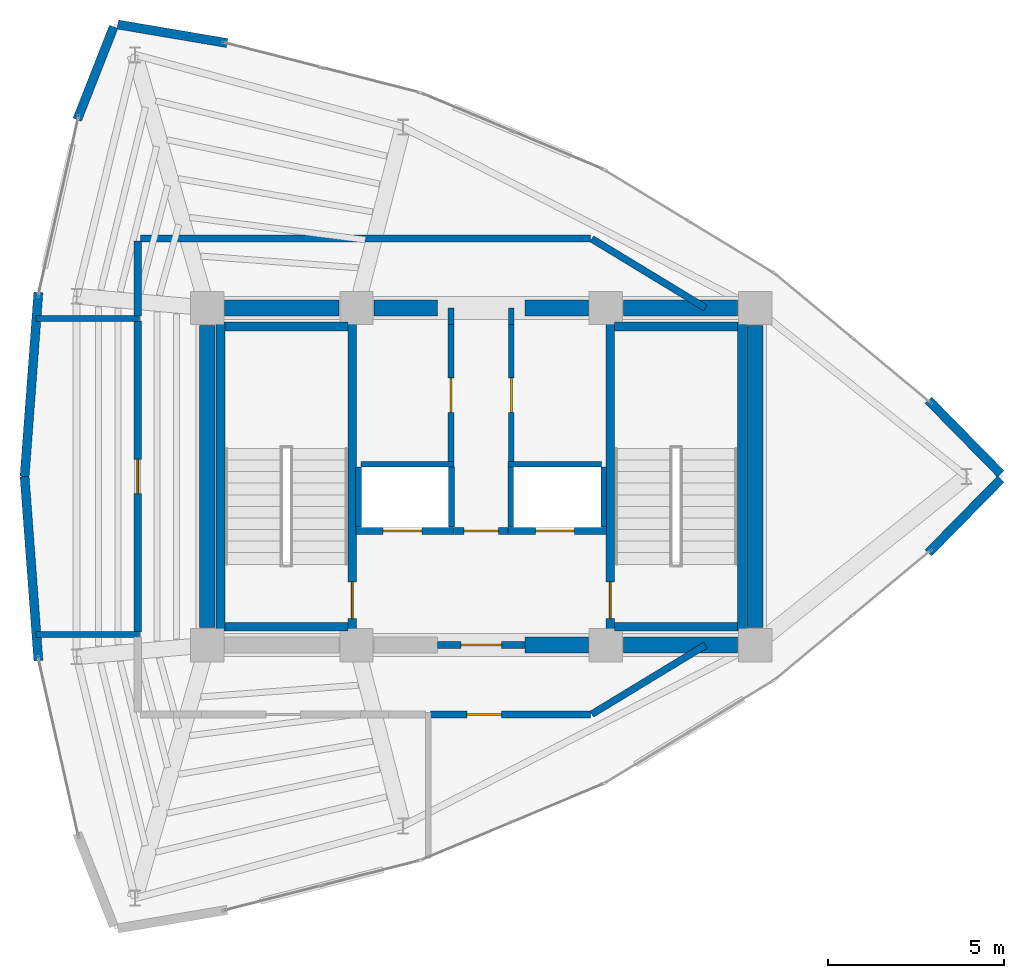
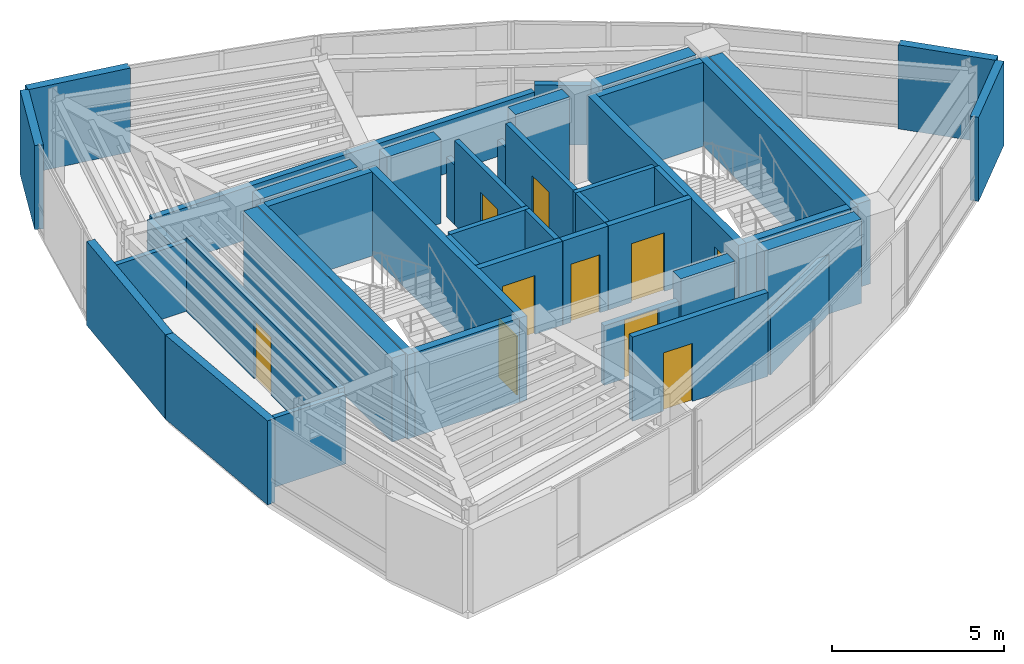
# One storey, part 12 of 14: 44 walls, 10 doors, 10 openings.
"""IFC4 building model written with IfcOpenShell, lengths in metres."""

from ifc_helpers import new_model, si_unit, direction, frame, frame_2d, origin, place, context, subcontext, project, spatial, rectangle, extrude, material, layer, layer_set, type_object, element, fill, save


model = new_model("IFC4")

# Units and contexts
model_context = context("Model", 3, precision=1e-05, world=origin(), true_north=direction((0.0, 1.0)))
body_context = subcontext(model_context, "Body", "Model", "MODEL_VIEW")
ifc_project = project(units=[si_unit("LENGTHUNIT", "METRE"), si_unit("AREAUNIT", "SQUARE_METRE"), si_unit("VOLUMEUNIT", "CUBIC_METRE"), si_unit("PLANEANGLEUNIT", "RADIAN"), si_unit("MASSUNIT", "GRAM", prefix="KILO")], contexts=[model_context])

# Site, building, storey
site_placement = place(None, origin())
site = spatial("IfcSite", under=ifc_project, at=site_placement, CompositionType="ELEMENT")
building_placement = place(site_placement, origin())
building = spatial("IfcBuilding", under=site, at=building_placement, Name="Menara Vayukalpa", CompositionType="ELEMENT")
storey_placement = place(building_placement, frame((0.0, 0.0, 308.820068359375)))
storey = spatial("IfcBuildingStorey", under=building, at=storey_placement, Name="L79", CompositionType="ELEMENT", Elevation=308.820068359375)

# Walls
ifc_material_1 = material(Name="Concrete C50/60", Category="concrete")
ifc_layer_1 = layer(ifc_material_1, 0.449951171875)
ifc_layer_set_1 = layer_set([ifc_layer_1], Name="Concrete C50/60")
wall_type_1 = type_object("IfcWallType", Name="WAL-CW450", PredefinedType="SHEAR", material=ifc_layer_set_1)
wall_1_placement = place(storey_placement, frame((26.85009765625, 17.199951171875, 0.0), z_axis=(0.0, 0.0, 1.0), x_axis=(1.0, 0.0, 0.0)))
element("IfcWall", 1, at=wall_1_placement, inside=storey, type_object=wall_type_1, Name="L79 Buttressed Core Shear Wall CWS3", PredefinedType="SHEAR", context=body_context, shape_type="SweptSolid", body=[
    extrude(rectangle(XDim=1.804931640625, YDim=0.449951171875, at=frame_2d((0.90234375, 0.0))), origin(), (0.0, 0.0, 1.0), 2.97998046875),
])
for number, where, z_axis, x_axis, name in (
    (2, (29.64501953125, 17.199951171875, 0.0), (0.0, 0.0, 1.0), (1.0, 0.0, 0.0), "L79 Buttressed Core Shear Wall CWS4"),
    (3, (18.294921875, 26.800048828125, 0.0), (0.0, 0.0, 1.0), (1.0, 0.0, 0.0), "L79 Buttressed Core Shear Wall CWN1"),
):
    element("IfcWall", number, at=place(storey_placement, frame(where, z_axis=z_axis, x_axis=x_axis)), inside=storey, type_object=wall_type_1, Name=name, PredefinedType="SHEAR", context=body_context, shape_type="SweptSolid", body=[
        extrude(rectangle(XDim=3.260009765625, YDim=0.449951171875, at=frame_2d((1.6298828125, 0.0))), origin(), (0.0, 0.0, 1.0), 2.97998046875),
    ])
wall_2_placement = place(storey_placement, frame((22.544921875, 26.800048828125, 0.0), z_axis=(0.0, 0.0, 1.0), x_axis=(1.0, 0.0, 0.0)))
element("IfcWall", 4, at=wall_2_placement, inside=storey, type_object=wall_type_1, Name="L79 Buttressed Core Shear Wall CWN2", PredefinedType="SHEAR", context=body_context, shape_type="SweptSolid", body=[
    extrude(rectangle(XDim=1.80517578125, YDim=0.449951171875, at=frame_2d((0.902587890625, 0.0))), origin(), (0.0, 0.0, 1.0), 2.97998046875),
])
wall_3_placement = place(storey_placement, frame((26.85009765625, 26.800048828125, 0.0), z_axis=(0.0, 0.0, 1.0), x_axis=(1.0, 0.0, 0.0)))
element("IfcWall", 5, at=wall_3_placement, inside=storey, type_object=wall_type_1, Name="L79 Buttressed Core Shear Wall CWN3", PredefinedType="SHEAR", context=body_context, shape_type="SweptSolid", body=[
    extrude(rectangle(XDim=1.804931640625, YDim=0.449951171875, at=frame_2d((0.90234375, 0.0))), origin(), (0.0, 0.0, 1.0), 2.97998046875),
])
wall_4_placement = place(storey_placement, frame((29.64501953125, 26.800048828125, 0.0), z_axis=(0.0, 0.0, 1.0), x_axis=(1.0, 0.0, 0.0)))
element("IfcWall", 6, at=wall_4_placement, inside=storey, type_object=wall_type_1, Name="L79 Buttressed Core Shear Wall CWN4", PredefinedType="SHEAR", context=body_context, shape_type="SweptSolid", body=[
    extrude(rectangle(XDim=3.260009765625, YDim=0.449951171875, at=frame_2d((1.6298828125, 0.0))), origin(), (0.0, 0.0, 1.0), 2.97998046875),
])
for number, where, z_axis, x_axis, name in (
    (7, (17.800048828125, 17.695068359375, 0.0), (0.0, 0.0, 1.0), (0.0, 1.0, 0.0), "L79 Buttressed Core Shear Wall CWW1"),
    (8, (33.39990234375, 17.695068359375, 0.0), (0.0, 0.0, 1.0), (0.0, 1.0, 0.0), "L79 Buttressed Core Shear Wall CWE1"),
):
    element("IfcWall", number, at=place(storey_placement, frame(where, z_axis=z_axis, x_axis=x_axis)), inside=storey, type_object=wall_type_1, Name=name, PredefinedType="SHEAR", context=body_context, shape_type="SweptSolid", body=[
        extrude(rectangle(XDim=8.60986328125, YDim=0.449951171875, at=frame_2d((4.304931640625, 0.0))), origin(), (0.0, 0.0, 1.0), 2.97998046875),
    ])
ifc_material_2 = material(Name="Insulated Precast Concrete C40/50", Category="concrete")
ifc_layer_2 = layer(ifc_material_2, 0.260009765625)
ifc_layer_set_2 = layer_set([ifc_layer_2], Name="Insulated Precast Concrete C40/50")
wall_type_2 = type_object("IfcWallType", Name="WAL-EXT260", PredefinedType="PARTITIONING", material=ifc_layer_set_2)
for number, where, z_axis, x_axis, name in (
    (9, (40.394287109375, 21.923828125, 0.0), (0.0, 0.0, 1.0), (-0.700603142499, -0.713551145133, 0.0), "L79 Perimeter Terracotta Pier Wall 01"),
    (10, (38.33349609375, 24.175048828125, 0.0), (0.0, 0.0, 1.0), (0.700603142499, -0.713551145133, 0.0), "L79 Perimeter Terracotta Pier Wall 02"),
):
    element("IfcWall", number, at=place(storey_placement, frame(where, z_axis=z_axis, x_axis=x_axis)), inside=storey, type_object=wall_type_2, Name=name, PredefinedType="PARTITIONING", context=body_context, shape_type="SweptSolid", body=[
        extrude(rectangle(XDim=2.94140625, YDim=0.260009765625, at=frame_2d((1.470703125, 0.0))), origin(), (0.0, 0.0, 1.0), 2.97998046875),
    ])
wall_5_placement = place(storey_placement, frame((15.251708984375, 34.87158203125, 0.0), z_axis=(0.0, 0.0, 1.0), x_axis=(0.985905089134, -0.167305574383, 0.0)))
element("IfcWall", 11, at=wall_5_placement, inside=storey, type_object=wall_type_2, Name="L79 Perimeter Terracotta Pier Wall 07", PredefinedType="PARTITIONING", context=body_context, shape_type="SweptSolid", body=[
    extrude(rectangle(XDim=3.1591796875, YDim=0.260009765625, at=frame_2d((1.57958984375, 0.0))), origin(), (0.0, 0.0, 1.0), 2.97998046875),
])
wall_6_placement = place(storey_placement, frame((14.09619140625, 32.1630859375, 0.0), z_axis=(0.0, 0.0, 1.0), x_axis=(0.365495346637, 0.930813166853, 0.0)))
element("IfcWall", 12, at=wall_6_placement, inside=storey, type_object=wall_type_2, Name="L79 Perimeter Terracotta Pier Wall 08", PredefinedType="PARTITIONING", context=body_context, shape_type="SweptSolid", body=[
    extrude(rectangle(XDim=2.838134765625, YDim=0.260009765625, at=frame_2d((1.4189453125, 0.0))), origin(), (0.0, 0.0, 1.0), 2.97998046875),
])
for number, where, z_axis, x_axis, name in (
    (13, (12.596435546875, 22.0, 0.0), (0.0, 0.0, 1.0), (0.074768012725, 0.99720095481, 0.0), "L79 Perimeter Terracotta Pier Wall 10"),
    (14, (12.989501953125, 16.757568359375, 0.0), (0.0, 0.0, 1.0), (-0.074768012725, 0.99720095481, 0.0), "L79 Perimeter Terracotta Pier Wall 11"),
):
    element("IfcWall", number, at=place(storey_placement, frame(where, z_axis=z_axis, x_axis=x_axis)), inside=storey, type_object=wall_type_2, Name=name, PredefinedType="PARTITIONING", context=body_context, shape_type="SweptSolid", body=[
        extrude(rectangle(XDim=5.257080078125, YDim=0.260009765625, at=frame_2d((2.62841796875, 0.0))), origin(), (0.0, 0.0, 1.0), 2.97998046875),
    ])
ifc_material_3 = material(Name="Lightweight Concrete Blockwork C16/20", Category="masonry")
ifc_layer_3 = layer(ifc_material_3, 0.159912109375)
ifc_layer_set_3 = layer_set([ifc_layer_3], Name="Lightweight Concrete Blockwork C16/20")
wall_type_3 = type_object("IfcWallType", Name="WAL-FR150", PredefinedType="PARTITIONING", material=ifc_layer_set_3)
for number, where, z_axis, x_axis, name in (
    (15, (22.10498046875, 20.56005859375, 0.0), (0.0, 0.0, 1.0), (0.0, 1.0, 0.0), "L79 Interior Partition IW-L79-SHW-WW"),
    (16, (24.7548828125, 20.56005859375, 0.0), (0.0, 0.0, 1.0), (0.0, 1.0, 0.0), "L79 Interior Partition IW-L79-SHW-W1E"),
):
    element("IfcWall", number, at=place(storey_placement, frame(where, z_axis=z_axis, x_axis=x_axis)), inside=storey, type_object=wall_type_3, Name=name, PredefinedType="PARTITIONING", context=body_context, shape_type="SweptSolid", body=[
        extrude(rectangle(XDim=1.7099609375, YDim=0.159912109375, at=frame_2d((0.85498046875, 0.0))), origin(), (0.0, 0.0, 1.0), 2.97998046875),
    ])
wall_7_placement = place(storey_placement, frame((22.179931640625, 22.344970703125, 0.0), z_axis=(0.0, 0.0, 1.0), x_axis=(1.0, 0.0, 0.0)))
element("IfcWall", 17, at=wall_7_placement, inside=storey, type_object=wall_type_3, Name="L79 Interior Partition IW-L79-SHM-W12", PredefinedType="PARTITIONING", context=body_context, shape_type="SweptSolid", body=[
    extrude(rectangle(XDim=2.650146484375, YDim=0.159912109375, at=frame_2d((1.3251953125, 0.0))), origin(), (0.0, 0.0, 1.0), 2.97998046875),
])
for number, where, z_axis, x_axis, name in (
    (18, (29.094970703125, 20.56005859375, 0.0), (0.0, 0.0, 1.0), (0.0, 1.0, 0.0), "L79 Interior Partition IW-L79-SHW-EE"),
    (19, (26.445068359375, 20.56005859375, 0.0), (0.0, 0.0, 1.0), (0.0, 1.0, 0.0), "L79 Interior Partition IW-L79-SHW-E1W"),
):
    element("IfcWall", number, at=place(storey_placement, frame(where, z_axis=z_axis, x_axis=x_axis)), inside=storey, type_object=wall_type_3, Name=name, PredefinedType="PARTITIONING", context=body_context, shape_type="SweptSolid", body=[
        extrude(rectangle(XDim=1.7099609375, YDim=0.159912109375, at=frame_2d((0.85498046875, 0.0))), origin(), (0.0, 0.0, 1.0), 2.97998046875),
    ])
wall_8_placement = place(storey_placement, frame((26.3701171875, 22.344970703125, 0.0), z_axis=(0.0, 0.0, 1.0), x_axis=(1.0, 0.0, 0.0)))
element("IfcWall", 20, at=wall_8_placement, inside=storey, type_object=wall_type_3, Name="L79 Interior Partition IW-L79-SHM-E13", PredefinedType="PARTITIONING", context=body_context, shape_type="SweptSolid", body=[
    extrude(rectangle(XDim=2.64990234375, YDim=0.159912109375, at=frame_2d((1.324951171875, 0.0))), origin(), (0.0, 0.0, 1.0), 2.97998046875),
])
wall_9_placement = place(storey_placement, frame((24.739990234375, 26.3349609375, 0.0), z_axis=(0.0, 0.0, 1.0), x_axis=(0.0, 1.0, 0.0)))
element("IfcWall", 21, at=wall_9_placement, inside=storey, type_object=wall_type_3, Name="L79 Interior Partition IW-L79-CPL1 Beam Collar 1", PredefinedType="PARTITIONING", context=body_context, shape_type="SweptSolid", body=[
    extrude(rectangle(XDim=0.465087890625, YDim=0.159912109375, at=frame_2d((0.232421875, 0.0))), origin(), (0.0, 0.0, 1.0), 2.10986328125),
])

# Wall, opening, door
wall_10_placement = place(storey_placement, frame((24.739990234375, 22.429931640625, 0.0), z_axis=(0.0, 0.0, 1.0), x_axis=(0.0, 1.0, 0.0)))
wall_10 = element("IfcWall", 22, at=wall_10_placement, inside=storey, type_object=wall_type_3, Name="L79 Interior Partition IW-L79-CPL1", PredefinedType="PARTITIONING", context=body_context, shape_type="SweptSolid", body=[
    extrude(rectangle(XDim=3.905029296875, YDim=0.159912109375, at=frame_2d((1.95263671875, 0.0))), origin(), (0.0, 0.0, 1.0), 2.97998046875),
])
opening_1_placement = place(wall_10_placement, frame((1.39990234375, 0.0, 0.0)))
opening_1 = element("IfcOpeningElement", 23, at=opening_1_placement, cuts=wall_10, Name="Opening ID3", PredefinedType="OPENING", context=body_context, shape_type="SweptSolid", body=[
    extrude(rectangle(XDim=0.97998046875, YDim=2.06005859375, at=frame_2d((0.489990234375, 1.030029296875))), frame((0.0, 0.08984375, 0.0), z_axis=(0.0, -1.0, 0.0), x_axis=(1.0, 0.0, 0.0)), (0.0, 0.0, 1.0), 0.179931640625),
])
ifc_material_4 = material(Name="Fire-Rated Powder-Coated Steel Door", Category="steel")
door_type_1 = type_object("IfcDoorType", Name="DR-FD60", OperationType="NOTDEFINED", PredefinedType="DOOR", material=ifc_material_4)
door_1_placement = place(opening_1_placement, origin())
door_1 = element("IfcDoor", 24, at=door_1_placement, inside=storey, type_object=door_type_1, Name="L79 Interior Door DR-L79-CPL1", OperationType="SINGLE_SWING_LEFT", OverallHeight=2.06005859375, OverallWidth=0.97998046875, PredefinedType="DOOR", context=body_context, shape_type="SweptSolid", body=[
    extrude(rectangle(XDim=0.97998046875, YDim=2.06005859375, at=frame_2d((0.489990234375, 1.030029296875))), frame((0.0, 0.02490234375, 0.0), z_axis=(0.0, -1.0, 0.0), x_axis=(1.0, 0.0, 0.0)), (0.0, 0.0, 1.0), 0.050048828125),
])
fill(opening_1, door_1)

# Wall
wall_11_placement = place(storey_placement, frame((26.4599609375, 26.3349609375, 0.0), z_axis=(0.0, 0.0, 1.0), x_axis=(0.0, 1.0, 0.0)))
element("IfcWall", 25, at=wall_11_placement, inside=storey, type_object=wall_type_3, Name="L79 Interior Partition IW-L79-CPL2 Beam Collar 1", PredefinedType="PARTITIONING", context=body_context, shape_type="SweptSolid", body=[
    extrude(rectangle(XDim=0.465087890625, YDim=0.159912109375, at=frame_2d((0.232421875, 0.0))), origin(), (0.0, 0.0, 1.0), 2.10986328125),
])

# Wall, opening, door
wall_12_placement = place(storey_placement, frame((26.4599609375, 22.429931640625, 0.0), z_axis=(0.0, 0.0, 1.0), x_axis=(0.0, 1.0, 0.0)))
wall_12 = element("IfcWall", 26, at=wall_12_placement, inside=storey, type_object=wall_type_3, Name="L79 Interior Partition IW-L79-CPL2", PredefinedType="PARTITIONING", context=body_context, shape_type="SweptSolid", body=[
    extrude(rectangle(XDim=3.905029296875, YDim=0.159912109375, at=frame_2d((1.95263671875, 0.0))), origin(), (0.0, 0.0, 1.0), 2.97998046875),
])
opening_2_placement = place(wall_12_placement, frame((1.39990234375, 0.0, 0.0)))
opening_2 = element("IfcOpeningElement", 27, at=opening_2_placement, cuts=wall_12, Name="Opening ID3", PredefinedType="OPENING", context=body_context, shape_type="SweptSolid", body=[
    extrude(rectangle(XDim=0.97998046875, YDim=2.06005859375, at=frame_2d((0.489990234375, 1.030029296875))), frame((0.0, 0.08984375, 0.0), z_axis=(0.0, -1.0, 0.0), x_axis=(1.0, 0.0, 0.0)), (0.0, 0.0, 1.0), 0.179931640625),
])
door_2_placement = place(opening_2_placement, origin())
door_2 = element("IfcDoor", 28, at=door_2_placement, inside=storey, type_object=door_type_1, Name="L79 Interior Door DR-L79-CPL2", OperationType="SINGLE_SWING_RIGHT", OverallHeight=2.06005859375, OverallWidth=0.97998046875, PredefinedType="DOOR", context=body_context, shape_type="SweptSolid", body=[
    extrude(rectangle(XDim=0.97998046875, YDim=2.06005859375, at=frame_2d((0.489990234375, 1.030029296875))), frame((0.0, 0.02490234375, 0.0), z_axis=(0.0, -1.0, 0.0), x_axis=(1.0, 0.0, 0.0)), (0.0, 0.0, 1.0), 0.050048828125),
])
fill(opening_2, door_2)

# Walls
for number, where, z_axis, x_axis, name in (
    (29, (12.923828125, 17.5, 0.0), (0.0, 0.0, 1.0), (1.0, 0.0, 0.0), "L79 Interior Partition IW-L79-RDIV01"),
    (30, (12.923828125, 26.5, 0.0), (0.0, 0.0, 1.0), (1.0, 0.0, 0.0), "L79 Interior Partition IW-L79-RDIV02"),
):
    element("IfcWall", number, at=place(storey_placement, frame(where, z_axis=z_axis, x_axis=x_axis)), inside=storey, type_object=wall_type_3, Name=name, PredefinedType="PARTITIONING", context=body_context, shape_type="SweptSolid", body=[
        extrude(rectangle(XDim=2.9462890625, YDim=0.159912109375, at=frame_2d((1.47314453125, 0.0))), origin(), (0.0, 0.0, 1.0), 2.4599609375),
    ])

# Wall, opening, door
ifc_material_5 = material(Name="Lightweight Concrete Blockwork C16/20", Category="masonry")
ifc_layer_4 = layer(ifc_material_5, 0.199951171875)
ifc_layer_set_4 = layer_set([ifc_layer_4], Name="Lightweight Concrete Blockwork C16/20")
wall_type_4 = type_object("IfcWallType", Name="WAL-FR200", PredefinedType="PARTITIONING", material=ifc_layer_set_4)
wall_13_placement = place(storey_placement, frame((24.35009765625, 17.199951171875, 0.0), z_axis=(0.0, 0.0, 1.0), x_axis=(1.0, 0.0, 0.0)))
wall_13 = element("IfcWall", 31, at=wall_13_placement, inside=storey, type_object=wall_type_4, Name="L79 Interior Partition IW-L79-FFLS", PredefinedType="PARTITIONING", context=body_context, shape_type="SweptSolid", body=[
    extrude(rectangle(XDim=2.5, YDim=0.199951171875, at=frame_2d((1.25, 0.0))), origin(), (0.0, 0.0, 1.0), 2.10986328125),
])
opening_3_placement = place(wall_13_placement, frame((0.679931640625, 0.0, 0.0)))
opening_3 = element("IfcOpeningElement", 32, at=opening_3_placement, cuts=wall_13, Name="Opening ID2", PredefinedType="OPENING", context=body_context, shape_type="SweptSolid", body=[
    extrude(rectangle(XDim=1.14990234375, YDim=2.080078125, at=frame_2d((0.574951171875, 1.0400390625))), frame((0.0, 0.10986328125, 0.0), z_axis=(0.0, -1.0, 0.0), x_axis=(1.0, 0.0, 0.0)), (0.0, 0.0, 1.0), 0.219970703125),
])
ifc_material_6 = material(Name="Fire-Rated Powder-Coated Steel Door", Category="steel")
door_type_2 = type_object("IfcDoorType", Name="DR-FD60W", OperationType="NOTDEFINED", PredefinedType="DOOR", material=ifc_material_6)
door_3_placement = place(opening_3_placement, origin())
door_3 = element("IfcDoor", 33, at=door_3_placement, inside=storey, type_object=door_type_2, Name="L79 Interior Door DR-L79-FFLS", OperationType="SINGLE_SWING_LEFT", OverallHeight=2.080078125, OverallWidth=1.14990234375, PredefinedType="DOOR", context=body_context, shape_type="SweptSolid", body=[
    extrude(rectangle(XDim=1.14990234375, YDim=2.080078125, at=frame_2d((0.574951171875, 1.0400390625))), frame((0.0, 0.02490234375, 0.0), z_axis=(0.0, -1.0, 0.0), x_axis=(1.0, 0.0, 0.0)), (0.0, 0.0, 1.0), 0.050048828125),
])
fill(opening_3, door_3)

wall_14_placement = place(storey_placement, frame((24.840087890625, 20.449951171875, 0.0), z_axis=(0.0, 0.0, 1.0), x_axis=(1.0, 0.0, 0.0)))
wall_14 = element("IfcWall", 34, at=wall_14_placement, inside=storey, type_object=wall_type_4, Name="L79 Interior Partition IW-L79-FFLN", PredefinedType="PARTITIONING", context=body_context, shape_type="SweptSolid", body=[
    extrude(rectangle(XDim=1.52001953125, YDim=0.199951171875, at=frame_2d((0.760009765625, 0.0))), origin(), (0.0, 0.0, 1.0), 2.97998046875),
])
opening_4_placement = place(wall_14_placement, frame((0.27001953125, 0.0, 0.0)))
opening_4 = element("IfcOpeningElement", 35, at=opening_4_placement, cuts=wall_14, Name="Opening ID3", PredefinedType="OPENING", context=body_context, shape_type="SweptSolid", body=[
    extrude(rectangle(XDim=0.97998046875, YDim=2.06005859375, at=frame_2d((0.489990234375, 1.030029296875))), frame((0.0, 0.10986328125, 0.0), z_axis=(0.0, -1.0, 0.0), x_axis=(1.0, 0.0, 0.0)), (0.0, 0.0, 1.0), 0.219970703125),
])
door_4_placement = place(opening_4_placement, origin())
door_4 = element("IfcDoor", 36, at=door_4_placement, inside=storey, type_object=door_type_1, Name="L79 Interior Door DR-L79-FFLN", OperationType="SINGLE_SWING_RIGHT", OverallHeight=2.06005859375, OverallWidth=0.97998046875, PredefinedType="DOOR", context=body_context, shape_type="SweptSolid", body=[
    extrude(rectangle(XDim=0.97998046875, YDim=2.06005859375, at=frame_2d((0.489990234375, 1.030029296875))), frame((0.0, 0.02490234375, 0.0), z_axis=(0.0, -1.0, 0.0), x_axis=(1.0, 0.0, 0.0)), (0.0, 0.0, 1.0), 0.050048828125),
])
fill(opening_4, door_4)

wall_15_placement = place(storey_placement, frame((22.030029296875, 20.449951171875, 0.0), z_axis=(0.0, 0.0, 1.0), x_axis=(1.0, 0.0, 0.0)))
wall_15 = element("IfcWall", 37, at=wall_15_placement, inside=storey, type_object=wall_type_4, Name="L79 Interior Partition IW-L79-SH-W1", PredefinedType="PARTITIONING", context=body_context, shape_type="SweptSolid", body=[
    extrude(rectangle(XDim=2.800048828125, YDim=0.199951171875, at=frame_2d((1.39990234375, 0.0))), origin(), (0.0, 0.0, 1.0), 2.97998046875),
])
opening_5_placement = place(wall_15_placement, frame((0.780029296875, 0.0, 0.0)))
opening_5 = element("IfcOpeningElement", 38, at=opening_5_placement, cuts=wall_15, Name="Opening LD1", PredefinedType="OPENING", context=body_context, shape_type="SweptSolid", body=[
    extrude(rectangle(XDim=1.10009765625, YDim=2.080078125, at=frame_2d((0.550048828125, 1.0400390625))), frame((0.0, 0.10986328125, 0.0), z_axis=(0.0, -1.0, 0.0), x_axis=(1.0, 0.0, 0.0)), (0.0, 0.0, 1.0), 0.219970703125),
])
ifc_material_7 = material(Name="Brushed Stainless Steel 316 Lift Door", Category="steel")
door_type_3 = type_object("IfcDoorType", Name="DR-LD110", OperationType="NOTDEFINED", PredefinedType="DOOR", material=ifc_material_7)
door_5_placement = place(opening_5_placement, origin())
door_5 = element("IfcDoor", 39, at=door_5_placement, inside=storey, type_object=door_type_3, Name="L79 Interior Door DR-L79-LD-W1", OperationType="DOUBLE_DOOR_SLIDING", OverallHeight=2.080078125, OverallWidth=1.10009765625, PredefinedType="DOOR", context=body_context, shape_type="SweptSolid", body=[
    extrude(rectangle(XDim=1.10009765625, YDim=2.080078125, at=frame_2d((0.550048828125, 1.0400390625))), frame((0.0, 0.02490234375, 0.0), z_axis=(0.0, -1.0, 0.0), x_axis=(1.0, 0.0, 0.0)), (0.0, 0.0, 1.0), 0.050048828125),
])
fill(opening_5, door_5)

wall_16_placement = place(storey_placement, frame((26.3701171875, 20.449951171875, 0.0), z_axis=(0.0, 0.0, 1.0), x_axis=(1.0, 0.0, 0.0)))
wall_16 = element("IfcWall", 40, at=wall_16_placement, inside=storey, type_object=wall_type_4, Name="L79 Interior Partition IW-L79-SH-E1", PredefinedType="PARTITIONING", context=body_context, shape_type="SweptSolid", body=[
    extrude(rectangle(XDim=2.7998046875, YDim=0.199951171875, at=frame_2d((1.39990234375, 0.0))), origin(), (0.0, 0.0, 1.0), 2.97998046875),
])
opening_6_placement = place(wall_16_placement, frame((0.780029296875, 0.0, 0.0)))
opening_6 = element("IfcOpeningElement", 41, at=opening_6_placement, cuts=wall_16, Name="Opening LD1", PredefinedType="OPENING", context=body_context, shape_type="SweptSolid", body=[
    extrude(rectangle(XDim=1.10009765625, YDim=2.080078125, at=frame_2d((0.550048828125, 1.0400390625))), frame((0.0, 0.10986328125, 0.0), z_axis=(0.0, -1.0, 0.0), x_axis=(1.0, 0.0, 0.0)), (0.0, 0.0, 1.0), 0.219970703125),
])
door_6_placement = place(opening_6_placement, origin())
door_6 = element("IfcDoor", 42, at=door_6_placement, inside=storey, type_object=door_type_3, Name="L79 Interior Door DR-L79-LD-E1", OperationType="DOUBLE_DOOR_SLIDING", OverallHeight=2.080078125, OverallWidth=1.10009765625, PredefinedType="DOOR", context=body_context, shape_type="SweptSolid", body=[
    extrude(rectangle(XDim=1.10009765625, YDim=2.080078125, at=frame_2d((0.550048828125, 1.0400390625))), frame((0.0, 0.02490234375, 0.0), z_axis=(0.0, -1.0, 0.0), x_axis=(1.0, 0.0, 0.0)), (0.0, 0.0, 1.0), 0.050048828125),
])
fill(opening_6, door_6)

wall_17_placement = place(storey_placement, frame((24.160400390625, 15.219970703125, 0.0), z_axis=(0.0, 0.0, 1.0), x_axis=(1.0, 0.0, 0.0)))
wall_17 = element("IfcWall", 43, at=wall_17_placement, inside=storey, type_object=wall_type_4, Name="L79 Interior Partition IW-L79-CRM02-1", PredefinedType="PARTITIONING", context=body_context, shape_type="SweptSolid", body=[
    extrude(rectangle(XDim=4.54541015625, YDim=0.199951171875, at=frame_2d((2.272705078125, 0.0))), origin(), (0.0, 0.0, 1.0), 2.97998046875),
])
opening_7_placement = place(wall_17_placement, frame((1.031494140625, 0.0, 0.0)))
opening_7 = element("IfcOpeningElement", 44, at=opening_7_placement, cuts=wall_17, Name="Opening ID3", PredefinedType="OPENING", context=body_context, shape_type="SweptSolid", body=[
    extrude(rectangle(XDim=0.97998046875, YDim=2.06005859375, at=frame_2d((0.489990234375, 1.030029296875))), frame((0.0, 0.10986328125, 0.0), z_axis=(0.0, -1.0, 0.0), x_axis=(1.0, 0.0, 0.0)), (0.0, 0.0, 1.0), 0.219970703125),
])
door_7_placement = place(opening_7_placement, origin())
door_7 = element("IfcDoor", 45, at=door_7_placement, inside=storey, type_object=door_type_1, Name="L79 Interior Door DR-L79-RM02", OperationType="SINGLE_SWING_RIGHT", OverallHeight=2.06005859375, OverallWidth=0.97998046875, PredefinedType="DOOR", context=body_context, shape_type="SweptSolid", body=[
    extrude(rectangle(XDim=0.97998046875, YDim=2.06005859375, at=frame_2d((0.489990234375, 1.030029296875))), frame((0.0, 0.02490234375, 0.0), z_axis=(0.0, -1.0, 0.0), x_axis=(1.0, 0.0, 0.0)), (0.0, 0.0, 1.0), 0.050048828125),
])
fill(opening_7, door_7)

# Walls
for number, where, z_axis, x_axis, name in (
    (46, (28.747314453125, 15.231689453125, 0.0), (0.0, 0.0, 1.0), (0.854690580489, 0.519137757847, 0.0), "L79 Interior Partition IW-L79-CRM02-2"),
    (47, (31.98779296875, 26.800048828125, 0.0), (0.0, 0.0, 1.0), (-0.854690580489, 0.519137757847, 0.0), "L79 Interior Partition IW-L79-CRM02-3"),
):
    element("IfcWall", number, at=place(storey_placement, frame(where, z_axis=z_axis, x_axis=x_axis)), inside=storey, type_object=wall_type_4, Name=name, PredefinedType="PARTITIONING", context=body_context, shape_type="SweptSolid", body=[
        extrude(rectangle(XDim=3.79150390625, YDim=0.199951171875, at=frame_2d((1.895751953125, 0.0))), origin(), (0.0, 0.0, 1.0), 2.10986328125),
    ])
wall_18_placement = place(storey_placement, frame((28.705810546875, 28.780029296875, 0.0), z_axis=(0.0, 0.0, 1.0), x_axis=(-1.0, 0.0, 0.0)))
element("IfcWall", 48, at=wall_18_placement, inside=storey, type_object=wall_type_4, Name="L79 Interior Partition IW-L79-CRM02-4", PredefinedType="PARTITIONING", context=body_context, shape_type="SweptSolid", body=[
    extrude(rectangle(XDim=12.805908203125, YDim=0.199951171875, at=frame_2d((6.40283203125, 0.0))), origin(), (0.0, 0.0, 1.0), 1.85986328125),
])
wall_19_placement = place(storey_placement, frame((15.820068359375, 28.699951171875, 0.0), z_axis=(0.0, 0.0, 1.0), x_axis=(0.0, -1.0, 0.0)))
element("IfcWall", 49, at=wall_19_placement, inside=storey, type_object=wall_type_4, Name="L79 Interior Partition IW-L79-CRM02-5", PredefinedType="PARTITIONING", context=body_context, shape_type="SweptSolid", body=[
    extrude(rectangle(XDim=2.1298828125, YDim=0.199951171875, at=frame_2d((1.06494140625, 0.0))), origin(), (0.0, 0.0, 1.0), 1.85986328125),
])

# Wall, opening, door
wall_20_placement = place(storey_placement, frame((15.820068359375, 26.429931640625, 0.0), z_axis=(0.0, 0.0, 1.0), x_axis=(0.0, -1.0, 0.0)))
wall_20 = element("IfcWall", 50, at=wall_20_placement, inside=storey, type_object=wall_type_4, Name="L79 Interior Partition IW-L79-CRM03-1", PredefinedType="PARTITIONING", context=body_context, shape_type="SweptSolid", body=[
    extrude(rectangle(XDim=8.85986328125, YDim=0.199951171875, at=frame_2d((4.429931640625, 0.0))), origin(), (0.0, 0.0, 1.0), 2.60986328125),
])
opening_8_placement = place(wall_20_placement, frame((3.93994140625, 0.0, 0.0)))
opening_8 = element("IfcOpeningElement", 51, at=opening_8_placement, cuts=wall_20, Name="Opening ID3", PredefinedType="OPENING", context=body_context, shape_type="SweptSolid", body=[
    extrude(rectangle(XDim=0.97998046875, YDim=2.06005859375, at=frame_2d((0.489990234375, 1.030029296875))), frame((0.0, 0.10986328125, 0.0), z_axis=(0.0, -1.0, 0.0), x_axis=(1.0, 0.0, 0.0)), (0.0, 0.0, 1.0), 0.219970703125),
])
door_8_placement = place(opening_8_placement, origin())
door_8 = element("IfcDoor", 52, at=door_8_placement, inside=storey, type_object=door_type_1, Name="L79 Interior Door DR-L79-RM03", OperationType="SINGLE_SWING_LEFT", OverallHeight=2.06005859375, OverallWidth=0.97998046875, PredefinedType="DOOR", context=body_context, shape_type="SweptSolid", body=[
    extrude(rectangle(XDim=0.97998046875, YDim=2.06005859375, at=frame_2d((0.489990234375, 1.030029296875))), frame((0.0, 0.02490234375, 0.0), z_axis=(0.0, -1.0, 0.0), x_axis=(1.0, 0.0, 0.0)), (0.0, 0.0, 1.0), 0.050048828125),
])
fill(opening_8, door_8)

# Wall
ifc_material_8 = material(Name="Concrete C50/60", Category="concrete")
ifc_layer_5 = layer(ifc_material_8, 0.25)
ifc_layer_set_5 = layer_set([ifc_layer_5], Name="Concrete C50/60")
wall_type_5 = type_object("IfcWallType", Name="WAL-SW250", PredefinedType="SHEAR", material=ifc_layer_set_5)
wall_21_placement = place(storey_placement, frame((18.175048828125, 17.60009765625, 0.0), z_axis=(0.0, 0.0, 1.0), x_axis=(0.0, 1.0, 0.0)))
element("IfcWall", 53, at=wall_21_placement, inside=storey, type_object=wall_type_5, Name="L79 ST1 Structural Stair Shaft Wall W", PredefinedType="SHEAR", context=body_context, shape_type="SweptSolid", body=[
    extrude(rectangle(XDim=8.7998046875, YDim=0.25, at=frame_2d((4.39990234375, 0.0))), origin(), (0.0, 0.0, 1.0), 2.97998046875),
])

# Wall, opening, door
wall_22_placement = place(storey_placement, frame((21.925048828125, 17.60009765625, 0.0), z_axis=(0.0, 0.0, 1.0), x_axis=(0.0, 1.0, 0.0)))
wall_22 = element("IfcWall", 54, at=wall_22_placement, inside=storey, type_object=wall_type_5, Name="L79 ST1 Structural Stair Shaft Wall E", PredefinedType="SHEAR", context=body_context, shape_type="SweptSolid", body=[
    extrude(rectangle(XDim=8.7998046875, YDim=0.25, at=frame_2d((4.39990234375, 0.0))), origin(), (0.0, 0.0, 1.0), 2.97998046875),
])
opening_9_placement = place(wall_22_placement, frame((0.35009765625, 0.0, 0.0)))
opening_9 = element("IfcOpeningElement", 55, at=opening_9_placement, cuts=wall_22, Name="Opening ID1", PredefinedType="OPENING", context=body_context, shape_type="SweptSolid", body=[
    extrude(rectangle(XDim=1.050048828125, YDim=2.080078125, at=frame_2d((0.52490234375, 1.0400390625))), frame((0.0, 0.135009765625, 0.0), z_axis=(0.0, -1.0, 0.0), x_axis=(1.0, 0.0, 0.0)), (0.0, 0.0, 1.0), 0.27001953125),
])
ifc_material_9 = material(Name="Fire-Rated Powder-Coated Steel Door", Category="steel")
door_type_4 = type_object("IfcDoorType", Name="DR-FD120", OperationType="NOTDEFINED", PredefinedType="DOOR", material=ifc_material_9)
door_9_placement = place(opening_9_placement, origin())
door_9 = element("IfcDoor", 56, at=door_9_placement, inside=storey, type_object=door_type_4, Name="L79 Stair Exit Door DR-L79-ST1", OperationType="SINGLE_SWING_LEFT", OverallHeight=2.080078125, OverallWidth=1.050048828125, PredefinedType="DOOR", context=body_context, shape_type="SweptSolid", body=[
    extrude(rectangle(XDim=1.050048828125, YDim=2.080078125, at=frame_2d((0.52490234375, 1.0400390625))), frame((0.0, 0.02490234375, 0.0), z_axis=(0.0, -1.0, 0.0), x_axis=(1.0, 0.0, 0.0)), (0.0, 0.0, 1.0), 0.050048828125),
])
fill(opening_9, door_9)

# Walls
for number, where, z_axis, x_axis, name in (
    (57, (18.300048828125, 17.72509765625, 0.0), (0.0, 0.0, 1.0), (1.0, 0.0, 0.0), "L79 ST1 Structural Stair Shaft Wall S"),
    (58, (18.300048828125, 26.27490234375, 0.0), (0.0, 0.0, 1.0), (1.0, 0.0, 0.0), "L79 ST1 Structural Stair Shaft Wall N"),
):
    element("IfcWall", number, at=place(storey_placement, frame(where, z_axis=z_axis, x_axis=x_axis)), inside=storey, type_object=wall_type_5, Name=name, PredefinedType="SHEAR", context=body_context, shape_type="SweptSolid", body=[
        extrude(rectangle(XDim=3.5, YDim=0.25, at=frame_2d((1.75, 0.0))), origin(), (0.0, 0.0, 1.0), 2.97998046875),
    ])

# Wall, opening, door
wall_23_placement = place(storey_placement, frame((29.27490234375, 17.60009765625, 0.0), z_axis=(0.0, 0.0, 1.0), x_axis=(0.0, 1.0, 0.0)))
wall_23 = element("IfcWall", 59, at=wall_23_placement, inside=storey, type_object=wall_type_5, Name="L79 ST2 Structural Stair Shaft Wall W", PredefinedType="SHEAR", context=body_context, shape_type="SweptSolid", body=[
    extrude(rectangle(XDim=8.7998046875, YDim=0.25, at=frame_2d((4.39990234375, 0.0))), origin(), (0.0, 0.0, 1.0), 2.97998046875),
])
opening_10_placement = place(wall_23_placement, frame((0.35009765625, 0.0, 0.0)))
opening_10 = element("IfcOpeningElement", 60, at=opening_10_placement, cuts=wall_23, Name="Opening ID1", PredefinedType="OPENING", context=body_context, shape_type="SweptSolid", body=[
    extrude(rectangle(XDim=1.050048828125, YDim=2.080078125, at=frame_2d((0.52490234375, 1.0400390625))), frame((0.0, 0.135009765625, 0.0), z_axis=(0.0, -1.0, 0.0), x_axis=(1.0, 0.0, 0.0)), (0.0, 0.0, 1.0), 0.27001953125),
])
door_10_placement = place(opening_10_placement, origin())
door_10 = element("IfcDoor", 61, at=door_10_placement, inside=storey, type_object=door_type_4, Name="L79 Stair Exit Door DR-L79-ST2", OperationType="SINGLE_SWING_RIGHT", OverallHeight=2.080078125, OverallWidth=1.050048828125, PredefinedType="DOOR", context=body_context, shape_type="SweptSolid", body=[
    extrude(rectangle(XDim=1.050048828125, YDim=2.080078125, at=frame_2d((0.52490234375, 1.0400390625))), frame((0.0, 0.02490234375, 0.0), z_axis=(0.0, -1.0, 0.0), x_axis=(1.0, 0.0, 0.0)), (0.0, 0.0, 1.0), 0.050048828125),
])
fill(opening_10, door_10)

# Walls
wall_24_placement = place(storey_placement, frame((33.02490234375, 17.60009765625, 0.0), z_axis=(0.0, 0.0, 1.0), x_axis=(0.0, 1.0, 0.0)))
element("IfcWall", 62, at=wall_24_placement, inside=storey, type_object=wall_type_5, Name="L79 ST2 Structural Stair Shaft Wall E", PredefinedType="SHEAR", context=body_context, shape_type="SweptSolid", body=[
    extrude(rectangle(XDim=8.7998046875, YDim=0.25, at=frame_2d((4.39990234375, 0.0))), origin(), (0.0, 0.0, 1.0), 2.97998046875),
])
for number, where, z_axis, x_axis, name in (
    (63, (29.39990234375, 17.72509765625, 0.0), (0.0, 0.0, 1.0), (1.0, 0.0, 0.0), "L79 ST2 Structural Stair Shaft Wall S"),
    (64, (29.39990234375, 26.27490234375, 0.0), (0.0, 0.0, 1.0), (1.0, 0.0, 0.0), "L79 ST2 Structural Stair Shaft Wall N"),
):
    element("IfcWall", number, at=place(storey_placement, frame(where, z_axis=z_axis, x_axis=x_axis)), inside=storey, type_object=wall_type_5, Name=name, PredefinedType="SHEAR", context=body_context, shape_type="SweptSolid", body=[
        extrude(rectangle(XDim=3.5, YDim=0.25, at=frame_2d((1.75, 0.0))), origin(), (0.0, 0.0, 1.0), 2.97998046875),
    ])

save(model, "model.ifc")
